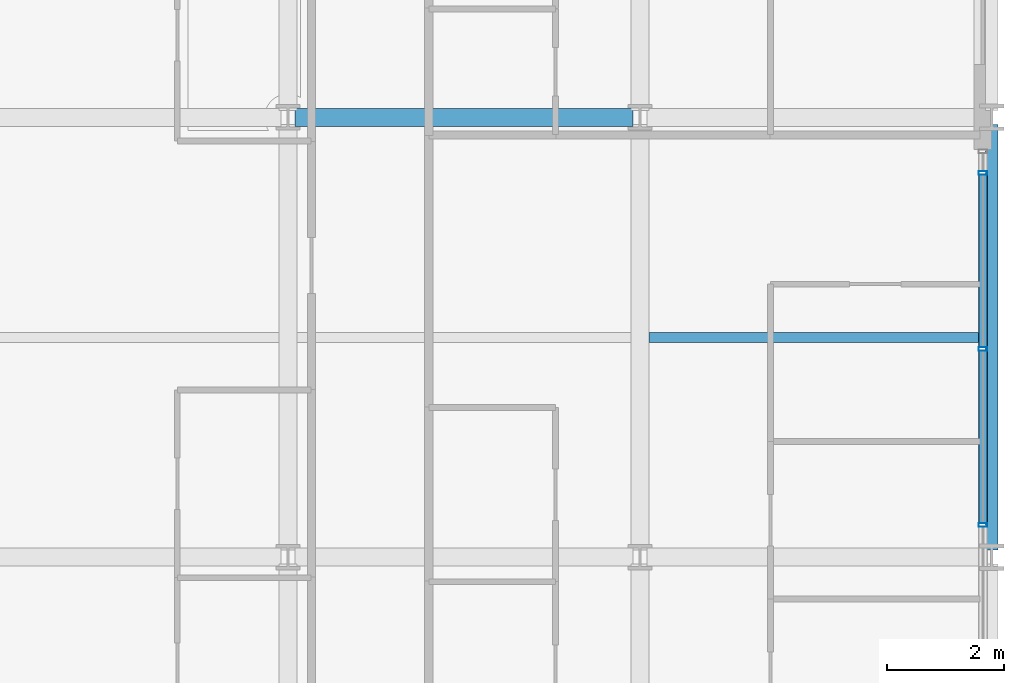
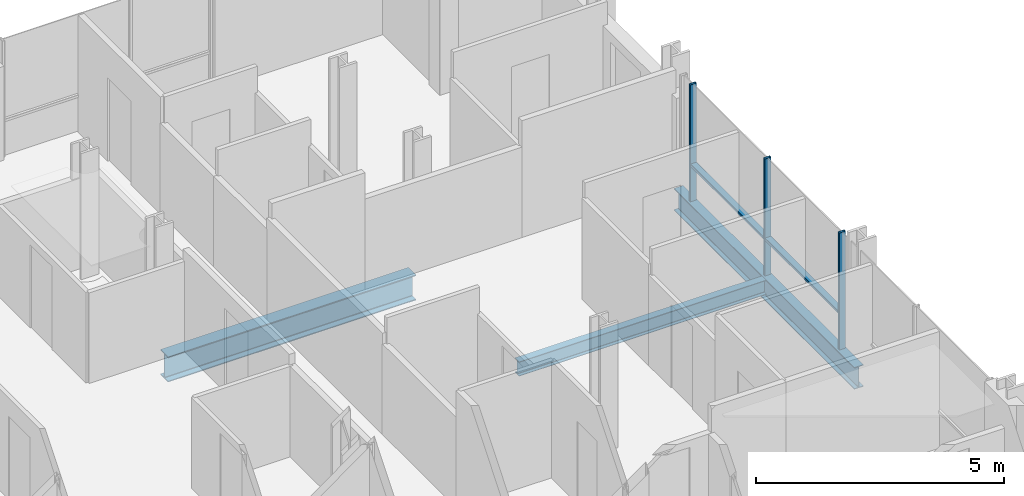
# One storey, part 19 of 41: 5 members, 3 beams, 1 element without a shape of its own.
"""IFC4 building model written with IfcOpenShell, lengths in metres."""

from ifc_helpers import new_model, si_unit, direction, frame, origin, origin_2d, place, context, subcontext, project, spatial, hollow_rectangle, i_section, extrude, material, layer, layer_set, material_profile, profile_set, type_object, element, aggregate, save


model = new_model("IFC4")

# Units and contexts
model_context = context("Model", 3, precision=1e-05, world=origin(), true_north=direction((0.0, 1.0)))
body_context = subcontext(model_context, "Body", "Model", "MODEL_VIEW")
ifc_project = project(units=[si_unit("LENGTHUNIT", "METRE"), si_unit("AREAUNIT", "SQUARE_METRE"), si_unit("VOLUMEUNIT", "CUBIC_METRE"), si_unit("PLANEANGLEUNIT", "RADIAN"), si_unit("MASSUNIT", "GRAM", prefix="KILO")], contexts=[model_context])

# Site, building, storey
site_placement = place(None, origin())
site = spatial("IfcSite", under=ifc_project, at=site_placement, CompositionType="ELEMENT")
building_placement = place(site_placement, origin())
building = spatial("IfcBuilding", under=site, at=building_placement, Name="Brevholm Reach", CompositionType="ELEMENT")
storey_placement = place(building_placement, frame((0.0, 0.0, 68.300048828125)))
storey = spatial("IfcBuildingStorey", under=building, at=storey_placement, Name="L19", CompositionType="ELEMENT", Elevation=68.300048828125)

# Beams
ifc_material_1 = material(Name="Structural Steel S355J2", Category="steel")
ifc_material_profile_1 = material_profile(ifc_material_1, i_section(OverallWidth=0.17138671875, OverallDepth=0.35498046875, WebThickness=0.00732421875, FlangeThickness=0.011474609375, FilletRadius=0.01025390625, at=origin_2d()), Name="UKB 356x171x51")
ifc_profile_set_1 = profile_set([ifc_material_profile_1], Name="Structural Steel S355J2")
beam_type_1 = type_object("IfcBeamType", Name="BM-B356", PredefinedType="BEAM", material=ifc_profile_set_1)
beam_1_placement = place(storey_placement, frame((54.153564453125, 19.75, -0.407470703125), z_axis=(1.0, 0.0, 0.0), x_axis=(0.0, 1.0, 0.0)))
element("IfcBeam", 1, at=beam_1_placement, inside=storey, type_object=beam_type_1, Name="L19 Composite Secondary Floor Beam", PredefinedType="BEAM", context=body_context, shape_type="SweptSolid", body=[
    extrude(i_section(OverallWidth=0.17138671875, OverallDepth=0.35498046875, WebThickness=0.00732421875, FlangeThickness=0.011474609375, FilletRadius=0.01025390625, at=origin_2d()), origin(), (0.0, 0.0, 1.0), 5.740966796875),
])
ifc_material_2 = material(Name="Structural Steel S355J2", Category="steel")
ifc_material_profile_2 = material_profile(ifc_material_2, i_section(OverallWidth=0.210693359375, OverallDepth=0.53955078125, WebThickness=0.01171875, FlangeThickness=0.018798828125, FilletRadius=0.0126953125, at=origin_2d()), Name="UKB 533x210x109")
ifc_profile_set_2 = profile_set([ifc_material_profile_2], Name="Structural Steel S355J2")
beam_type_2 = type_object("IfcBeamType", Name="BM-SP539", PredefinedType="SPANDREL", material=ifc_profile_set_2)
beam_2_placement = place(storey_placement, frame((60.0, 16.1201171875, -0.499755859375), z_axis=(0.0, 1.0, 0.0), x_axis=(-1.0, 0.0, 0.0)))
element("IfcBeam", 2, at=beam_2_placement, inside=storey, type_object=beam_type_2, Name="L19 SP-01B Framing Beam", PredefinedType="SPANDREL", context=body_context, shape_type="SweptSolid", body=[
    extrude(i_section(OverallWidth=0.210693359375, OverallDepth=0.53955078125, WebThickness=0.01171875, FlangeThickness=0.018798828125, FilletRadius=0.0126953125, at=origin_2d()), origin(), (0.0, 0.0, 1.0), 7.259765625),
])
ifc_material_3 = material(Name="Structural Steel S355J2", Category="steel")
ifc_material_profile_3 = material_profile(ifc_material_3, i_section(OverallWidth=0.30712890625, OverallDepth=0.6201171875, WebThickness=0.01416015625, FlangeThickness=0.023681640625, FilletRadius=0.0166015625, at=origin_2d()), Name="UKB 610x305x179")
ifc_profile_set_3 = profile_set([ifc_material_profile_3], Name="Structural Steel S355J2")
beam_type_3 = type_object("IfcBeamType", Name="BM-UKB610H", PredefinedType="USERDEFINED", material=ifc_profile_set_3)
beam_3_placement = place(storey_placement, frame((48.1201171875, 23.5, -0.5400390625), z_axis=(1.0, 0.0, 0.0), x_axis=(0.0, 1.0, 0.0)))
element("IfcBeam", 3, at=beam_3_placement, inside=storey, type_object=beam_type_3, Name="L19 G-06 Framing Beam", ObjectType="GIRDER", PredefinedType="USERDEFINED", context=body_context, shape_type="SweptSolid", body=[
    extrude(i_section(OverallWidth=0.30712890625, OverallDepth=0.6201171875, WebThickness=0.01416015625, FlangeThickness=0.023681640625, FilletRadius=0.0166015625, at=origin_2d()), origin(), (0.0, 0.0, 1.0), 5.759765625),
])

# Curtain wall, members
ifc_material_4 = material(Name="Dark Anodised Aluminium 6063-T6 and Solar-Control Glass", Category="aluminium")
ifc_layer = layer(ifc_material_4, 0.14990234375)
ifc_layer_set = layer_set([ifc_layer], Name="Dark Anodised Aluminium 6063-T6 and Solar-Control Glass")
curtain_wall_type = type_object("IfcCurtainWallType", Name="CW-01", PredefinedType="NOTDEFINED", material=ifc_layer_set)
curtain_wall_placement = place(storey_placement, origin())
curtain_wall = element("IfcCurtainWall", 4, at=curtain_wall_placement, inside=storey, type_object=curtain_wall_type, Name="L19 Curtain Wall CW-01", PredefinedType="NOTDEFINED")
ifc_material_5 = material(Name="Dark Anodised Aluminium 6063-T6", Category="aluminium")
ifc_material_profile_4 = material_profile(ifc_material_5, hollow_rectangle(XDim=0.06494140625, YDim=0.14990234375, WallThickness=0.0048828125, InnerFilletRadius=0.0048828125, OuterFilletRadius=0.010009765625, at=origin_2d()), Name="RHS 150x65x5")
ifc_profile_set_4 = profile_set([ifc_material_profile_4], Name="Dark Anodised Aluminium 6063-T6")
member_type_1 = type_object("IfcMemberType", Name="CWM-150", PredefinedType="MULLION", material=ifc_profile_set_4)
member_1_placement = place(storey_placement, frame((59.85009765625, 16.550048828125, 0.0), z_axis=(0.0, 0.0, 1.0), x_axis=(0.0, 1.0, 0.0)))
member_1 = element("IfcMember", 5, at=member_1_placement, type_object=member_type_1, Name="CM-150 Mullion 3", PredefinedType="MULLION", context=body_context, shape_type="SweptSolid", body=[
    extrude(hollow_rectangle(XDim=0.06494140625, YDim=0.14990234375, WallThickness=0.0048828125, InnerFilletRadius=0.0048828125, OuterFilletRadius=0.010009765625, at=origin_2d()), origin(), (0.0, 0.0, 1.0), 2.869873046875),
])
member_2_placement = place(storey_placement, frame((59.85009765625, 19.550048828125, 0.0), z_axis=(0.0, 0.0, 1.0), x_axis=(0.0, 1.0, 0.0)))
member_2 = element("IfcMember", 6, at=member_2_placement, type_object=member_type_1, Name="CM-150 Mullion 4", PredefinedType="MULLION", context=body_context, shape_type="SweptSolid", body=[
    extrude(hollow_rectangle(XDim=0.06494140625, YDim=0.14990234375, WallThickness=0.0048828125, InnerFilletRadius=0.0048828125, OuterFilletRadius=0.010009765625, at=origin_2d()), origin(), (0.0, 0.0, 1.0), 2.869873046875),
])
member_3_placement = place(storey_placement, frame((59.85009765625, 22.550048828125, 0.0), z_axis=(0.0, 0.0, 1.0), x_axis=(0.0, 1.0, 0.0)))
member_3 = element("IfcMember", 7, at=member_3_placement, type_object=member_type_1, Name="CM-150 Mullion 5", PredefinedType="MULLION", context=body_context, shape_type="SweptSolid", body=[
    extrude(hollow_rectangle(XDim=0.06494140625, YDim=0.14990234375, WallThickness=0.0048828125, InnerFilletRadius=0.0048828125, OuterFilletRadius=0.010009765625, at=origin_2d()), origin(), (0.0, 0.0, 1.0), 2.869873046875),
])
ifc_material_6 = material(Name="Dark Anodised Aluminium 6063-T6", Category="aluminium")
ifc_material_profile_5 = material_profile(ifc_material_6, hollow_rectangle(XDim=0.06494140625, YDim=0.14990234375, WallThickness=0.0048828125, InnerFilletRadius=0.0048828125, OuterFilletRadius=0.010009765625, at=origin_2d()), Name="RHS 150x65x5")
ifc_profile_set_5 = profile_set([ifc_material_profile_5], Name="Dark Anodised Aluminium 6063-T6")
member_type_2 = type_object("IfcMemberType", Name="CWT-150", PredefinedType="NOTDEFINED", material=ifc_profile_set_5)
member_4_placement = place(storey_placement, frame((59.85009765625, 16.58251953125, 0.89990234375), z_axis=(0.0, 1.0, 0.0), x_axis=(0.0, 0.0, 1.0)))
member_4 = element("IfcMember", 8, at=member_4_placement, type_object=member_type_2, Name="CT-150 Transom 3.1", ObjectType="TRANSOM", PredefinedType="USERDEFINED", context=body_context, shape_type="SweptSolid", body=[
    extrude(hollow_rectangle(XDim=0.06494140625, YDim=0.14990234375, WallThickness=0.0048828125, InnerFilletRadius=0.0048828125, OuterFilletRadius=0.010009765625, at=origin_2d()), origin(), (0.0, 0.0, 1.0), 2.93505859375),
])
member_5_placement = place(storey_placement, frame((59.85009765625, 19.58251953125, 0.89990234375), z_axis=(0.0, 1.0, 0.0), x_axis=(0.0, 0.0, 1.0)))
member_5 = element("IfcMember", 9, at=member_5_placement, type_object=member_type_2, Name="CT-150 Transom 4.1", ObjectType="TRANSOM", PredefinedType="USERDEFINED", context=body_context, shape_type="SweptSolid", body=[
    extrude(hollow_rectangle(XDim=0.06494140625, YDim=0.14990234375, WallThickness=0.0048828125, InnerFilletRadius=0.0048828125, OuterFilletRadius=0.010009765625, at=origin_2d()), origin(), (0.0, 0.0, 1.0), 2.93505859375),
])
aggregate(curtain_wall, [member_1, member_2, member_3, member_4, member_5])

save(model, "model.ifc")
